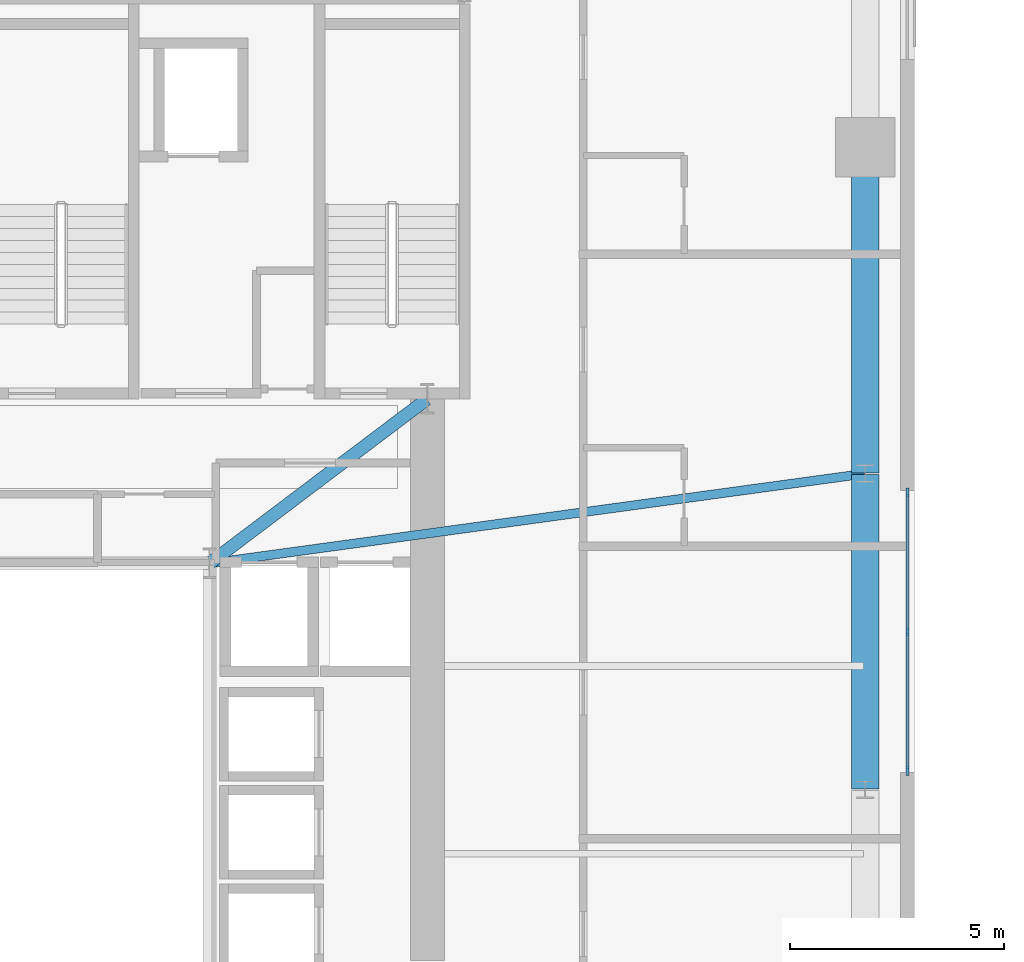
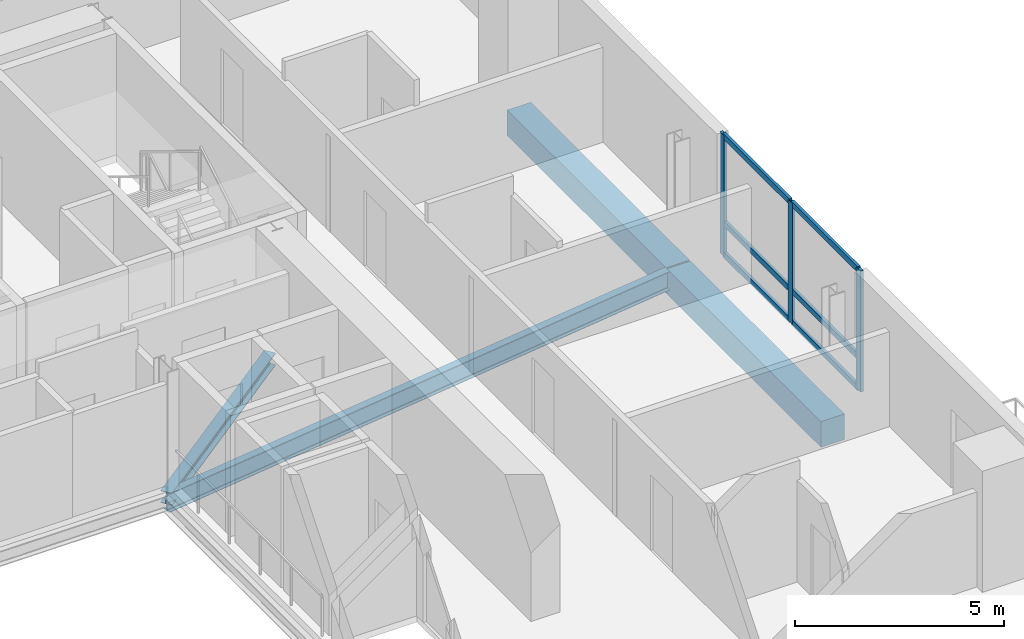
# One storey, part 5 of 16: 9 members, 4 beams, 1 element without a shape of its own.
"""IFC4 building model written with IfcOpenShell, lengths in metres."""

from ifc_helpers import new_model, si_unit, direction, frame, origin, origin_2d, place, context, subcontext, project, spatial, rectangle, i_section, extrude, source, transform, mapped, material, material_profile, profile_set, type_object, element, aggregate, save


model = new_model("IFC4")

# Units and contexts
model_context = context("Model", 3, precision=1e-05, world=origin(), true_north=direction((0.0, 1.0)))
body_context = subcontext(model_context, "Body", "Model", "MODEL_VIEW")
ifc_project = project(units=[si_unit("LENGTHUNIT", "METRE"), si_unit("AREAUNIT", "SQUARE_METRE"), si_unit("VOLUMEUNIT", "CUBIC_METRE"), si_unit("PLANEANGLEUNIT", "RADIAN"), si_unit("MASSUNIT", "GRAM", prefix="KILO")], contexts=[model_context])

# Site, building, storey
site_placement = place(None, origin())
site = spatial("IfcSite", under=ifc_project, at=site_placement, CompositionType="ELEMENT")
building_placement = place(site_placement, origin())
building = spatial("IfcBuilding", under=site, at=building_placement, Name="Vardaveli Station Tower", CompositionType="ELEMENT")
storey_placement = place(building_placement, frame((0.0, 0.0, 211.050048828125)))
storey = spatial("IfcBuildingStorey", under=building, at=storey_placement, Name="L54", CompositionType="ELEMENT", Elevation=211.050048828125)

# Beams
ifc_material_1 = material(Name="Structural steel S355J2", Category="steel")
ifc_material_profile_1 = material_profile(ifc_material_1, i_section(OverallWidth=0.300048828125, OverallDepth=0.360107421875, WebThickness=0.012451171875, FlangeThickness=0.0224609375, FilletRadius=0.027099609375, at=origin_2d()), Name="HEB 360")
ifc_profile_set_1 = profile_set([ifc_material_profile_1], Name="Structural steel S355J2")
beam_type_1 = type_object("IfcBeamType", Name="BM-HEB360", PredefinedType="BEAM", material=ifc_profile_set_1)
shared_shape_1 = source(origin(), body_context, "Body", "SweptSolid", [
    extrude(i_section(OverallWidth=0.300048828125, OverallDepth=0.360107421875, WebThickness=0.012451171875, FlangeThickness=0.0224609375, FilletRadius=0.027099609375, at=origin_2d()), origin(), (0.0, 0.0, 1.0), 6.35009765625),
])
beam_1_placement = place(storey_placement, frame((41.416015625, 26.81201171875, -0.400146484375), z_axis=(0.798118337722, 0.602500721154, 0.0), x_axis=(-0.602500721154, 0.798118337722, 0.0)))
element("IfcBeam", 1, at=beam_1_placement, inside=storey, type_object=beam_type_1, Name="CBM-L54-02", PredefinedType="BEAM", context=body_context, shape_type="MappedRepresentation", body=[
    mapped(shared_shape_1, transform((0.0, 0.0, 0.0), scale=1.0)),
])
ifc_material_2 = material(Name="Precast concrete C45/55", Category="concrete")
ifc_material_profile_2 = material_profile(ifc_material_2, rectangle(XDim=0.64990234375, YDim=0.75, at=origin_2d()), Name="LPB 650x750")
ifc_profile_set_2 = profile_set([ifc_material_profile_2], Name="Precast concrete C45/55")
beam_type_2 = type_object("IfcBeamType", Name="BM-LPB-750", PredefinedType="BEAM", material=ifc_profile_set_2)
shared_shape_2 = source(origin(), body_context, "Body", "SweptSolid", [
    extrude(rectangle(XDim=0.64990234375, YDim=0.75, at=origin_2d()), origin(), (0.0, 0.0, 1.0), 7.60009765625),
])
beam_2_placement = place(storey_placement, frame((56.75, 28.919921875, -0.594970703125), z_axis=(0.0, 1.0, 0.0), x_axis=(-1.0, 0.0, 0.0)))
element("IfcBeam", 2, at=beam_2_placement, inside=storey, type_object=beam_type_2, Name="RBM-L54-09", PredefinedType="BEAM", context=body_context, shape_type="MappedRepresentation", body=[
    mapped(shared_shape_2, transform((0.0, 0.0, 0.0), scale=1.0)),
])
shared_shape_3 = source(origin(), body_context, "Body", "SweptSolid", [
    extrude(rectangle(XDim=0.64990234375, YDim=0.75, at=origin_2d()), origin(), (0.0, 0.0, 1.0), 7.35986328125),
])
beam_3_placement = place(storey_placement, frame((56.75, 21.52001953125, -0.594970703125), z_axis=(0.0, 1.0, 0.0), x_axis=(-1.0, 0.0, 0.0)))
element("IfcBeam", 3, at=beam_3_placement, inside=storey, type_object=beam_type_2, Name="RBM-L54-08", PredefinedType="BEAM", context=body_context, shape_type="MappedRepresentation", body=[
    mapped(shared_shape_3, transform((0.0, 0.0, 0.0), scale=1.0)),
])
ifc_material_profile_3 = material_profile(ifc_material_1, i_section(OverallWidth=0.2099609375, OverallDepth=0.550048828125, WebThickness=0.010986328125, FlangeThickness=0.01708984375, FilletRadius=0.02392578125, at=origin_2d()), Name="IPE 550")
ifc_profile_set_3 = profile_set([ifc_material_profile_3], Name="Structural steel S355J2")
beam_type_3 = type_object("IfcBeamType", Name="BM-IPE550", PredefinedType="BEAM", material=ifc_profile_set_3)
shared_shape_4 = source(origin(), body_context, "Body", "SweptSolid", [
    extrude(i_section(OverallWidth=0.2099609375, OverallDepth=0.550048828125, WebThickness=0.010986328125, FlangeThickness=0.01708984375, FilletRadius=0.02392578125, at=origin_2d()), origin(), (0.0, 0.0, 1.0), 15.452880859375),
])
beam_4_placement = place(storey_placement, frame((56.730224609375, 28.897216796875, -0.4951171875), z_axis=(-0.99077191151, -0.135539733521, 0.0), x_axis=(0.135539733521, -0.99077191151, 0.0)))
element("IfcBeam", 4, at=beam_4_placement, inside=storey, type_object=beam_type_3, Name="GBM-L54-07", PredefinedType="BEAM", context=body_context, shape_type="MappedRepresentation", body=[
    mapped(shared_shape_4, transform((0.0, 0.0, 0.0), scale=1.0)),
])

# Curtain wall, members
ifc_material_3 = material(Name="Travertine stone and solar-control glass", Category="masonry")
curtain_wall_type = type_object("IfcCurtainWallType", Name="CW-SYS-5", PredefinedType="NOTDEFINED", material=ifc_material_3)
curtain_wall_placement = place(storey_placement, origin())
curtain_wall = element("IfcCurtainWall", 5, at=curtain_wall_placement, inside=storey, type_object=curtain_wall_type, Name="CW-L54-E", PredefinedType="NOTDEFINED")
ifc_material_4 = material(Name="Anodised aluminium alloy 6063-T6", Category="aluminium")
ifc_material_profile_4 = material_profile(ifc_material_4, rectangle(XDim=0.080078125, YDim=0.1650390625, at=origin_2d()), Name="CWT 80x165")
ifc_profile_set_4 = profile_set([ifc_material_profile_4], Name="Anodised aluminium alloy 6063-T6")
member_type_1 = type_object("IfcMemberType", Name="CW-SYS-5-TRAN", PredefinedType="NOTDEFINED", material=ifc_profile_set_4)
shared_shape_5 = source(origin(), body_context, "Body", "SweptSolid", [
    extrude(rectangle(XDim=0.080078125, YDim=0.1650390625, at=origin_2d()), origin(), (0.0, 0.0, 1.0), 3.179931640625),
])
member_1_placement = place(storey_placement, frame((57.739990234375, 21.97998046875, 0.0400390625), z_axis=(0.0, 1.0, 0.0), x_axis=(-1.0, 0.0, 0.0)))
member_1 = element("IfcMember", 6, at=member_1_placement, type_object=member_type_1, Name="CW-5 transom 1.1", ObjectType="TRANSOM", PredefinedType="USERDEFINED", context=body_context, shape_type="MappedRepresentation", body=[
    mapped(shared_shape_5, transform((0.0, 0.0, 0.0), scale=1.0)),
])
member_2_placement = place(storey_placement, frame((57.739990234375, 21.97998046875, 0.949951171875), z_axis=(0.0, 1.0, 0.0), x_axis=(-1.0, 0.0, 0.0)))
member_2 = element("IfcMember", 7, at=member_2_placement, type_object=member_type_1, Name="CW-5 transom 1.2", ObjectType="TRANSOM", PredefinedType="USERDEFINED", context=body_context, shape_type="MappedRepresentation", body=[
    mapped(shared_shape_5, transform((0.0, 0.0, 0.0), scale=1.0)),
])
member_3_placement = place(storey_placement, frame((57.739990234375, 21.97998046875, 3.489990234375), z_axis=(0.0, 1.0, 0.0), x_axis=(-1.0, 0.0, 0.0)))
member_3 = element("IfcMember", 8, at=member_3_placement, type_object=member_type_1, Name="CW-5 transom 1.3", ObjectType="TRANSOM", PredefinedType="USERDEFINED", context=body_context, shape_type="MappedRepresentation", body=[
    mapped(shared_shape_5, transform((0.0, 0.0, 0.0), scale=1.0)),
])
member_4_placement = place(storey_placement, frame((57.739990234375, 25.239990234375, 0.0400390625), z_axis=(0.0, 1.0, 0.0), x_axis=(-1.0, 0.0, 0.0)))
member_4 = element("IfcMember", 9, at=member_4_placement, type_object=member_type_1, Name="CW-5 transom 2.1", ObjectType="TRANSOM", PredefinedType="USERDEFINED", context=body_context, shape_type="MappedRepresentation", body=[
    mapped(shared_shape_5, transform((0.0, 0.0, 0.0), scale=1.0)),
])
member_5_placement = place(storey_placement, frame((57.739990234375, 25.239990234375, 0.949951171875), z_axis=(0.0, 1.0, 0.0), x_axis=(-1.0, 0.0, 0.0)))
member_5 = element("IfcMember", 10, at=member_5_placement, type_object=member_type_1, Name="CW-5 transom 2.2", ObjectType="TRANSOM", PredefinedType="USERDEFINED", context=body_context, shape_type="MappedRepresentation", body=[
    mapped(shared_shape_5, transform((0.0, 0.0, 0.0), scale=1.0)),
])
member_6_placement = place(storey_placement, frame((57.739990234375, 25.239990234375, 3.489990234375), z_axis=(0.0, 1.0, 0.0), x_axis=(-1.0, 0.0, 0.0)))
member_6 = element("IfcMember", 11, at=member_6_placement, type_object=member_type_1, Name="CW-5 transom 2.3", ObjectType="TRANSOM", PredefinedType="USERDEFINED", context=body_context, shape_type="MappedRepresentation", body=[
    mapped(shared_shape_5, transform((0.0, 0.0, 0.0), scale=1.0)),
])
ifc_material_profile_5 = material_profile(ifc_material_4, rectangle(XDim=0.080078125, YDim=0.205078125, at=origin_2d()), Name="CWM 80x205")
ifc_profile_set_5 = profile_set([ifc_material_profile_5], Name="Anodised aluminium alloy 6063-T6")
member_type_2 = type_object("IfcMemberType", Name="CW-SYS-5-MULL", PredefinedType="MULLION", material=ifc_profile_set_5)
shared_shape_6 = source(origin(), body_context, "Body", "SweptSolid", [
    extrude(rectangle(XDim=0.080078125, YDim=0.205078125, at=origin_2d()), origin(), (0.0, 0.0, 1.0), 3.530029296875),
])
member_7_placement = place(storey_placement, frame((57.739990234375, 21.93994140625, 0.0), z_axis=(0.0, 0.0, 1.0), x_axis=(-1.0, 0.0, 0.0)))
member_7 = element("IfcMember", 12, at=member_7_placement, type_object=member_type_2, Name="CW-5 mullion 1", PredefinedType="MULLION", context=body_context, shape_type="MappedRepresentation", body=[
    mapped(shared_shape_6, transform((0.0, 0.0, 0.0), scale=1.0)),
])
member_8_placement = place(storey_placement, frame((57.739990234375, 25.199951171875, 0.0), z_axis=(0.0, 0.0, 1.0), x_axis=(-1.0, 0.0, 0.0)))
member_8 = element("IfcMember", 13, at=member_8_placement, type_object=member_type_2, Name="CW-5 mullion 2", PredefinedType="MULLION", context=body_context, shape_type="MappedRepresentation", body=[
    mapped(shared_shape_6, transform((0.0, 0.0, 0.0), scale=1.0)),
])
member_9_placement = place(storey_placement, frame((57.739990234375, 28.4599609375, 0.0), z_axis=(0.0, 0.0, 1.0), x_axis=(-1.0, 0.0, 0.0)))
member_9 = element("IfcMember", 14, at=member_9_placement, type_object=member_type_2, Name="CW-5 mullion 3", PredefinedType="MULLION", context=body_context, shape_type="MappedRepresentation", body=[
    mapped(shared_shape_6, transform((0.0, 0.0, 0.0), scale=1.0)),
])
aggregate(curtain_wall, [member_7, member_8, member_9, member_1, member_2, member_3, member_4, member_5, member_6])

save(model, "model.ifc")
